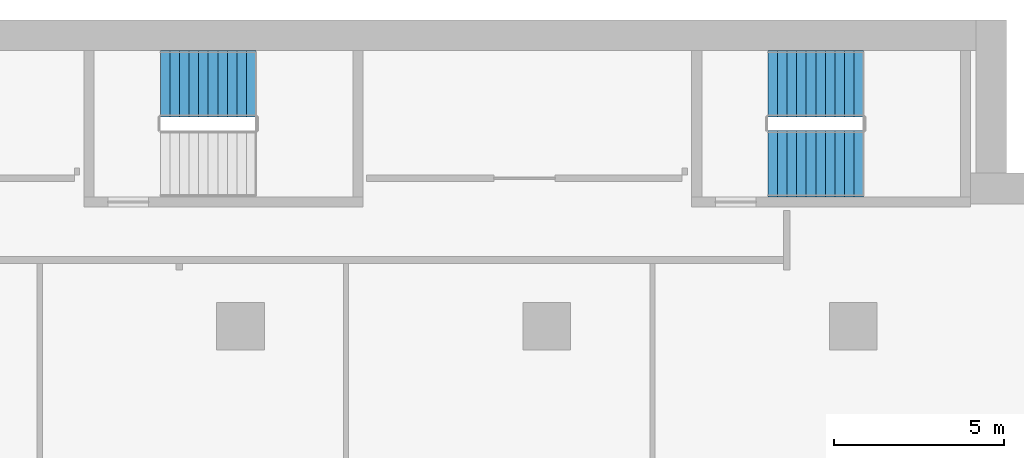
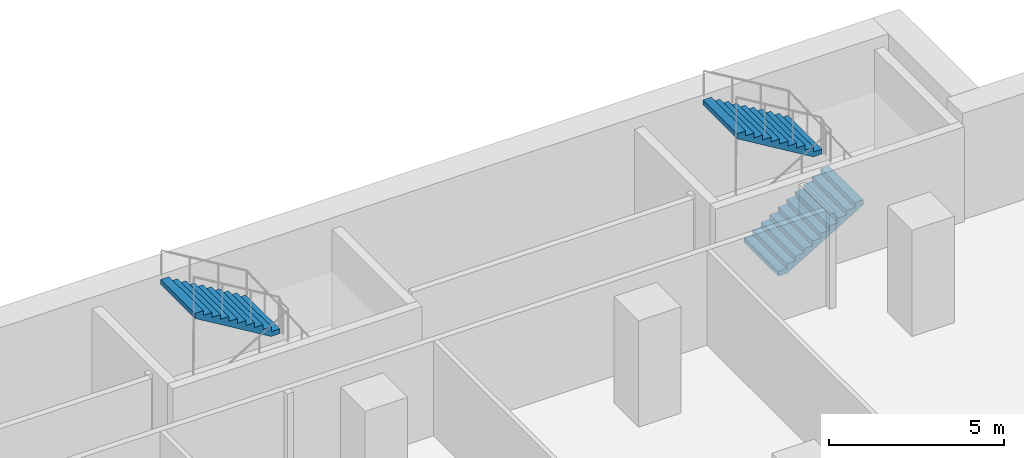
# One storey, part 23 of 29: 3 stair flights, 2 elements without a shape of their own.
"""IFC4 building model written with IfcOpenShell, lengths in metres."""

from ifc_helpers import new_model, si_unit, direction, frame, origin, place, context, subcontext, project, spatial, polyline, outline, extrude, material, type_object, element, aggregate, save


model = new_model("IFC4")

# Units and contexts
model_context = context("Model", 3, precision=1e-05, world=origin(), true_north=direction((0.0, 1.0)))
body_context = subcontext(model_context, "Body", "Model", "MODEL_VIEW")
ifc_project = project(units=[si_unit("LENGTHUNIT", "METRE"), si_unit("AREAUNIT", "SQUARE_METRE"), si_unit("VOLUMEUNIT", "CUBIC_METRE"), si_unit("PLANEANGLEUNIT", "RADIAN"), si_unit("MASSUNIT", "GRAM", prefix="KILO")], contexts=[model_context])

# Site, building, storey
site_placement = place(None, origin())
site = spatial("IfcSite", under=ifc_project, at=site_placement, CompositionType="ELEMENT")
building_placement = place(site_placement, origin())
building = spatial("IfcBuilding", under=site, at=building_placement, Name="Hunhe Ridgeline Campus", CompositionType="ELEMENT")
storey_placement = place(building_placement, frame((0.0, 0.0, 46.89990234375)))
storey = spatial("IfcBuildingStorey", under=building, at=storey_placement, Name="L10", CompositionType="ELEMENT", Elevation=46.89990234375)

# Stair, stair flight
ifc_material = material(Name="Concrete C40", Category="concrete")
stair_type = type_object("IfcStairType", Name="Reinforced concrete dog-leg stair 1950 Concrete C40", PredefinedType="HALF_TURN_STAIR", material=ifc_material)
stair_1_placement = place(storey_placement, origin())
stair_1 = element("IfcStair", 1, at=stair_1_placement, inside=storey, type_object=stair_type, Name="L10 E3", PredefinedType="HALF_TURN_STAIR")
stair_flight_type = type_object("IfcStairFlightType", Name="Reinforced concrete stair flight 1950 Concrete C40", PredefinedType="STRAIGHT", material=ifc_material)
stair_flight_1_placement = place(storey_placement, frame((72.449951171875, 97.125, 1.85009765625), z_axis=(0.0, 0.0, 1.0), x_axis=(-1.0, 0.0, 0.0)))
stair_flight_1 = element("IfcStairFlight", 2, at=stair_flight_1_placement, type_object=stair_flight_type, Name="ST7 flight 2", NumberOfRisers=11, NumberOfTreads=10, PredefinedType="STRAIGHT", RiserHeight=0.168181818, TreadLength=0.28, context=body_context, shape_type="SweptSolid", body=[
    extrude(outline(polyline([(0.0, 0.0), (0.0, 0.168212890625), (0.280029296875, 0.168212890625), (0.280029296875, 0.33642578125), (0.56005859375, 0.33642578125), (0.56005859375, 0.504638671875), (0.840087890625, 0.504638671875), (0.840087890625, 0.672607421875), (1.1201171875, 0.672607421875), (1.1201171875, 0.8408203125), (1.39990234375, 0.8408203125), (1.39990234375, 1.009033203125), (1.679931640625, 1.009033203125), (1.679931640625, 1.17724609375), (1.9599609375, 1.17724609375), (1.9599609375, 1.345458984375), (2.239990234375, 1.345458984375), (2.239990234375, 1.513671875), (2.52001953125, 1.513671875), (2.52001953125, 1.681884765625), (2.800048828125, 1.681884765625), (2.800048828125, 1.85009765625), (2.800048828125, 1.5068359375), (0.291015625, 0.0), (0.0, 0.0)])), frame((0.0, 0.97509765625, 0.0), z_axis=(0.0, -1.0, 0.0), x_axis=(1.0, 0.0, 0.0)), (0.0, 0.0, 1.0), 1.949951171875),
    extrude(outline(polyline([(0.030029296875, 0.030029296875), (0.030029296875, 0.13818359375), (0.31005859375, 0.13818359375), (0.31005859375, 0.306396484375), (0.590087890625, 0.306396484375), (0.590087890625, 0.474609375), (0.8701171875, 0.474609375), (0.8701171875, 0.642578125), (1.14990234375, 0.642578125), (1.14990234375, 0.810791015625), (1.429931640625, 0.810791015625), (1.429931640625, 0.97900390625), (1.7099609375, 0.97900390625), (1.7099609375, 1.147216796875), (1.989990234375, 1.147216796875), (1.989990234375, 1.3154296875), (2.27001953125, 1.3154296875), (2.27001953125, 1.483642578125), (2.550048828125, 1.483642578125), (2.550048828125, 1.65185546875), (2.77001953125, 1.65185546875), (2.77001953125, 1.52392578125), (0.28271484375, 0.030029296875), (0.030029296875, 0.030029296875)])), frame((0.0, -0.070068359375, 0.0), z_axis=(0.0, -1.0, 0.0), x_axis=(1.0, 0.0, 0.0)), (0.0, 0.0, 1.0), 0.019775390625),
    extrude(outline(polyline([(0.030029296875, 0.030029296875), (0.030029296875, 0.13818359375), (0.31005859375, 0.13818359375), (0.31005859375, 0.306396484375), (0.590087890625, 0.306396484375), (0.590087890625, 0.474609375), (0.8701171875, 0.474609375), (0.8701171875, 0.642578125), (1.14990234375, 0.642578125), (1.14990234375, 0.810791015625), (1.429931640625, 0.810791015625), (1.429931640625, 0.97900390625), (1.7099609375, 0.97900390625), (1.7099609375, 1.147216796875), (1.989990234375, 1.147216796875), (1.989990234375, 1.3154296875), (2.27001953125, 1.3154296875), (2.27001953125, 1.483642578125), (2.550048828125, 1.483642578125), (2.550048828125, 1.65185546875), (2.77001953125, 1.65185546875), (2.77001953125, 1.52392578125), (0.28271484375, 0.030029296875), (0.030029296875, 0.030029296875)])), frame((0.0, 0.010009765625, 0.0), z_axis=(0.0, -1.0, 0.0), x_axis=(1.0, 0.0, 0.0)), (0.0, 0.0, 1.0), 0.019775390625),
    extrude(outline(polyline([(0.030029296875, 0.030029296875), (0.030029296875, 0.13818359375), (0.31005859375, 0.13818359375), (0.31005859375, 0.306396484375), (0.590087890625, 0.306396484375), (0.590087890625, 0.474609375), (0.8701171875, 0.474609375), (0.8701171875, 0.642578125), (1.14990234375, 0.642578125), (1.14990234375, 0.810791015625), (1.429931640625, 0.810791015625), (1.429931640625, 0.97900390625), (1.7099609375, 0.97900390625), (1.7099609375, 1.147216796875), (1.989990234375, 1.147216796875), (1.989990234375, 1.3154296875), (2.27001953125, 1.3154296875), (2.27001953125, 1.483642578125), (2.550048828125, 1.483642578125), (2.550048828125, 1.65185546875), (2.77001953125, 1.65185546875), (2.77001953125, 1.52392578125), (0.28271484375, 0.030029296875), (0.030029296875, 0.030029296875)])), frame((0.0, 0.090087890625, 0.0), z_axis=(0.0, -1.0, 0.0), x_axis=(1.0, 0.0, 0.0)), (0.0, 0.0, 1.0), 0.019775390625),
])
aggregate(stair_1, [stair_flight_1])

# Stair, stair flights
stair_2_placement = place(storey_placement, origin())
stair_2 = element("IfcStair", 3, at=stair_2_placement, inside=storey, type_object=stair_type, Name="L10 E4", PredefinedType="HALF_TURN_STAIR")
stair_flight_2_placement = place(storey_placement, frame((87.5, 94.77490234375, 0.0), z_axis=(0.0, 0.0, 1.0), x_axis=(1.0, 0.0, 0.0)))
stair_flight_2 = element("IfcStairFlight", 4, at=stair_flight_2_placement, type_object=stair_flight_type, Name="ST8 flight 1", NumberOfRisers=11, NumberOfTreads=10, PredefinedType="STRAIGHT", RiserHeight=0.168181818, TreadLength=0.28, context=body_context, shape_type="SweptSolid", body=[
    extrude(outline(polyline([(0.0, 0.0), (0.0, 0.168212890625), (0.280029296875, 0.168212890625), (0.280029296875, 0.33642578125), (0.56005859375, 0.33642578125), (0.56005859375, 0.504638671875), (0.840087890625, 0.504638671875), (0.840087890625, 0.672607421875), (1.1201171875, 0.672607421875), (1.1201171875, 0.8408203125), (1.39990234375, 0.8408203125), (1.39990234375, 1.009033203125), (1.679931640625, 1.009033203125), (1.679931640625, 1.17724609375), (1.9599609375, 1.17724609375), (1.9599609375, 1.345458984375), (2.239990234375, 1.345458984375), (2.239990234375, 1.513671875), (2.52001953125, 1.513671875), (2.52001953125, 1.681884765625), (2.800048828125, 1.681884765625), (2.800048828125, 1.85009765625), (2.800048828125, 1.5068359375), (0.291015625, 0.0), (0.0, 0.0)])), frame((0.0, 0.97509765625, 0.0), z_axis=(0.0, -1.0, 0.0), x_axis=(1.0, 0.0, 0.0)), (0.0, 0.0, 1.0), 1.949951171875),
    extrude(outline(polyline([(0.030029296875, 0.030029296875), (0.030029296875, 0.13818359375), (0.31005859375, 0.13818359375), (0.31005859375, 0.306396484375), (0.590087890625, 0.306396484375), (0.590087890625, 0.474609375), (0.8701171875, 0.474609375), (0.8701171875, 0.642578125), (1.14990234375, 0.642578125), (1.14990234375, 0.810791015625), (1.429931640625, 0.810791015625), (1.429931640625, 0.97900390625), (1.7099609375, 0.97900390625), (1.7099609375, 1.147216796875), (1.989990234375, 1.147216796875), (1.989990234375, 1.3154296875), (2.27001953125, 1.3154296875), (2.27001953125, 1.483642578125), (2.550048828125, 1.483642578125), (2.550048828125, 1.65185546875), (2.77001953125, 1.65185546875), (2.77001953125, 1.52392578125), (0.28271484375, 0.030029296875), (0.030029296875, 0.030029296875)])), frame((0.0, -0.070068359375, 0.0), z_axis=(0.0, -1.0, 0.0), x_axis=(1.0, 0.0, 0.0)), (0.0, 0.0, 1.0), 0.019775390625),
    extrude(outline(polyline([(0.030029296875, 0.030029296875), (0.030029296875, 0.13818359375), (0.31005859375, 0.13818359375), (0.31005859375, 0.306396484375), (0.590087890625, 0.306396484375), (0.590087890625, 0.474609375), (0.8701171875, 0.474609375), (0.8701171875, 0.642578125), (1.14990234375, 0.642578125), (1.14990234375, 0.810791015625), (1.429931640625, 0.810791015625), (1.429931640625, 0.97900390625), (1.7099609375, 0.97900390625), (1.7099609375, 1.147216796875), (1.989990234375, 1.147216796875), (1.989990234375, 1.3154296875), (2.27001953125, 1.3154296875), (2.27001953125, 1.483642578125), (2.550048828125, 1.483642578125), (2.550048828125, 1.65185546875), (2.77001953125, 1.65185546875), (2.77001953125, 1.52392578125), (0.28271484375, 0.030029296875), (0.030029296875, 0.030029296875)])), frame((0.0, 0.010009765625, 0.0), z_axis=(0.0, -1.0, 0.0), x_axis=(1.0, 0.0, 0.0)), (0.0, 0.0, 1.0), 0.019775390625),
    extrude(outline(polyline([(0.030029296875, 0.030029296875), (0.030029296875, 0.13818359375), (0.31005859375, 0.13818359375), (0.31005859375, 0.306396484375), (0.590087890625, 0.306396484375), (0.590087890625, 0.474609375), (0.8701171875, 0.474609375), (0.8701171875, 0.642578125), (1.14990234375, 0.642578125), (1.14990234375, 0.810791015625), (1.429931640625, 0.810791015625), (1.429931640625, 0.97900390625), (1.7099609375, 0.97900390625), (1.7099609375, 1.147216796875), (1.989990234375, 1.147216796875), (1.989990234375, 1.3154296875), (2.27001953125, 1.3154296875), (2.27001953125, 1.483642578125), (2.550048828125, 1.483642578125), (2.550048828125, 1.65185546875), (2.77001953125, 1.65185546875), (2.77001953125, 1.52392578125), (0.28271484375, 0.030029296875), (0.030029296875, 0.030029296875)])), frame((0.0, 0.090087890625, 0.0), z_axis=(0.0, -1.0, 0.0), x_axis=(1.0, 0.0, 0.0)), (0.0, 0.0, 1.0), 0.019775390625),
])
stair_flight_3_placement = place(storey_placement, frame((90.300048828125, 97.125, 1.85009765625), z_axis=(0.0, 0.0, 1.0), x_axis=(-1.0, 0.0, 0.0)))
stair_flight_3 = element("IfcStairFlight", 5, at=stair_flight_3_placement, type_object=stair_flight_type, Name="ST8 flight 2", NumberOfRisers=11, NumberOfTreads=10, PredefinedType="STRAIGHT", RiserHeight=0.168181818, TreadLength=0.28, context=body_context, shape_type="SweptSolid", body=[
    extrude(outline(polyline([(0.0, 0.0), (0.0, 0.168212890625), (0.280029296875, 0.168212890625), (0.280029296875, 0.33642578125), (0.56005859375, 0.33642578125), (0.56005859375, 0.504638671875), (0.840087890625, 0.504638671875), (0.840087890625, 0.672607421875), (1.1201171875, 0.672607421875), (1.1201171875, 0.8408203125), (1.39990234375, 0.8408203125), (1.39990234375, 1.009033203125), (1.679931640625, 1.009033203125), (1.679931640625, 1.17724609375), (1.9599609375, 1.17724609375), (1.9599609375, 1.345458984375), (2.239990234375, 1.345458984375), (2.239990234375, 1.513671875), (2.52001953125, 1.513671875), (2.52001953125, 1.681884765625), (2.800048828125, 1.681884765625), (2.800048828125, 1.85009765625), (2.800048828125, 1.5068359375), (0.291015625, 0.0), (0.0, 0.0)])), frame((0.0, 0.97509765625, 0.0), z_axis=(0.0, -1.0, 0.0), x_axis=(1.0, 0.0, 0.0)), (0.0, 0.0, 1.0), 1.949951171875),
    extrude(outline(polyline([(0.030029296875, 0.030029296875), (0.030029296875, 0.13818359375), (0.31005859375, 0.13818359375), (0.31005859375, 0.306396484375), (0.590087890625, 0.306396484375), (0.590087890625, 0.474609375), (0.8701171875, 0.474609375), (0.8701171875, 0.642578125), (1.14990234375, 0.642578125), (1.14990234375, 0.810791015625), (1.429931640625, 0.810791015625), (1.429931640625, 0.97900390625), (1.7099609375, 0.97900390625), (1.7099609375, 1.147216796875), (1.989990234375, 1.147216796875), (1.989990234375, 1.3154296875), (2.27001953125, 1.3154296875), (2.27001953125, 1.483642578125), (2.550048828125, 1.483642578125), (2.550048828125, 1.65185546875), (2.77001953125, 1.65185546875), (2.77001953125, 1.52392578125), (0.28271484375, 0.030029296875), (0.030029296875, 0.030029296875)])), frame((0.0, -0.070068359375, 0.0), z_axis=(0.0, -1.0, 0.0), x_axis=(1.0, 0.0, 0.0)), (0.0, 0.0, 1.0), 0.019775390625),
    extrude(outline(polyline([(0.030029296875, 0.030029296875), (0.030029296875, 0.13818359375), (0.31005859375, 0.13818359375), (0.31005859375, 0.306396484375), (0.590087890625, 0.306396484375), (0.590087890625, 0.474609375), (0.8701171875, 0.474609375), (0.8701171875, 0.642578125), (1.14990234375, 0.642578125), (1.14990234375, 0.810791015625), (1.429931640625, 0.810791015625), (1.429931640625, 0.97900390625), (1.7099609375, 0.97900390625), (1.7099609375, 1.147216796875), (1.989990234375, 1.147216796875), (1.989990234375, 1.3154296875), (2.27001953125, 1.3154296875), (2.27001953125, 1.483642578125), (2.550048828125, 1.483642578125), (2.550048828125, 1.65185546875), (2.77001953125, 1.65185546875), (2.77001953125, 1.52392578125), (0.28271484375, 0.030029296875), (0.030029296875, 0.030029296875)])), frame((0.0, 0.010009765625, 0.0), z_axis=(0.0, -1.0, 0.0), x_axis=(1.0, 0.0, 0.0)), (0.0, 0.0, 1.0), 0.019775390625),
    extrude(outline(polyline([(0.030029296875, 0.030029296875), (0.030029296875, 0.13818359375), (0.31005859375, 0.13818359375), (0.31005859375, 0.306396484375), (0.590087890625, 0.306396484375), (0.590087890625, 0.474609375), (0.8701171875, 0.474609375), (0.8701171875, 0.642578125), (1.14990234375, 0.642578125), (1.14990234375, 0.810791015625), (1.429931640625, 0.810791015625), (1.429931640625, 0.97900390625), (1.7099609375, 0.97900390625), (1.7099609375, 1.147216796875), (1.989990234375, 1.147216796875), (1.989990234375, 1.3154296875), (2.27001953125, 1.3154296875), (2.27001953125, 1.483642578125), (2.550048828125, 1.483642578125), (2.550048828125, 1.65185546875), (2.77001953125, 1.65185546875), (2.77001953125, 1.52392578125), (0.28271484375, 0.030029296875), (0.030029296875, 0.030029296875)])), frame((0.0, 0.090087890625, 0.0), z_axis=(0.0, -1.0, 0.0), x_axis=(1.0, 0.0, 0.0)), (0.0, 0.0, 1.0), 0.019775390625),
])
aggregate(stair_2, [stair_flight_2, stair_flight_3])

save(model, "model.ifc")
